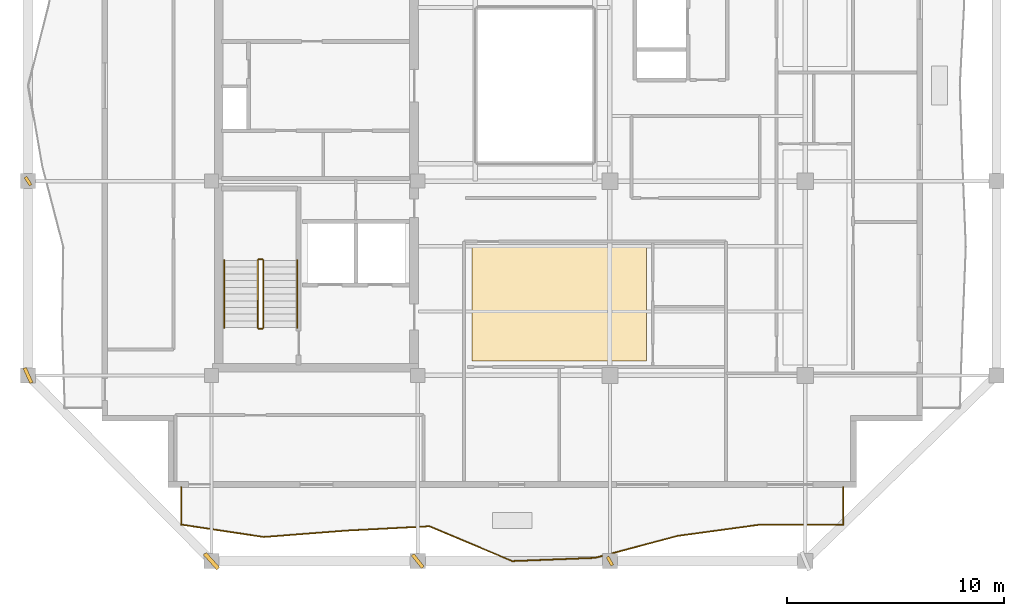
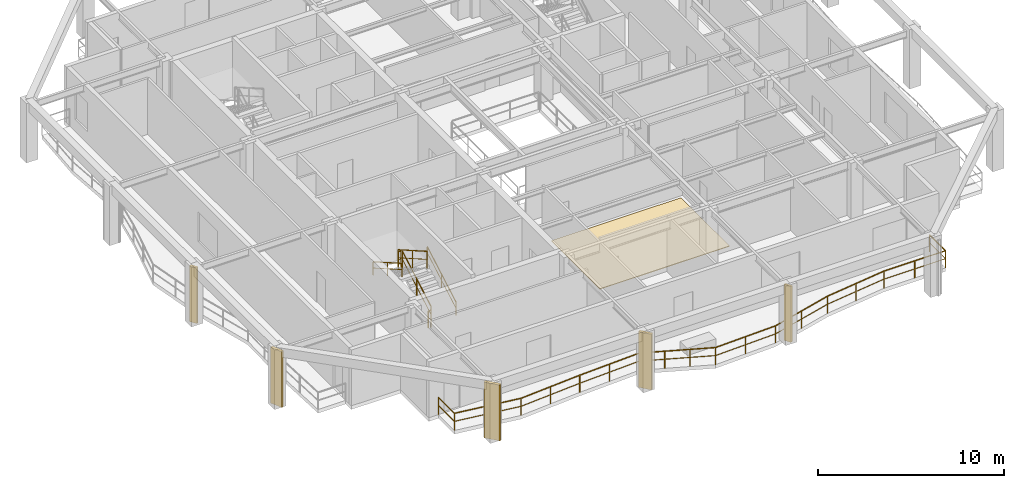
# One storey, part 7 of 10: 7 railings, 5 shading devices, 1 covering.
"""IFC4 building model written with IfcOpenShell, lengths in metres."""

from ifc_helpers import new_model, si_unit, direction, frame, origin, origin_2d, place, context, subcontext, project, spatial, polyline, rectangle, outline, extrude, material, layer, layer_set, type_object, element, save


model = new_model("IFC4")

# Units and contexts
model_context = context("Model", 3, precision=1e-05, world=origin(), true_north=direction((0.0, 1.0)))
body_context = subcontext(model_context, "Body", "Model", "MODEL_VIEW")
ifc_project = project(units=[si_unit("LENGTHUNIT", "METRE"), si_unit("AREAUNIT", "SQUARE_METRE"), si_unit("VOLUMEUNIT", "CUBIC_METRE"), si_unit("PLANEANGLEUNIT", "RADIAN"), si_unit("MASSUNIT", "GRAM", prefix="KILO")], contexts=[model_context])

# Site, building, storey
site_placement = place(None, origin())
site = spatial("IfcSite", under=ifc_project, at=site_placement, CompositionType="ELEMENT")
building_placement = place(site_placement, origin())
building = spatial("IfcBuilding", under=site, at=building_placement, Name="Kundavana Baori Tower", CompositionType="ELEMENT")
storey_placement = place(building_placement, frame((0.0, 0.0, 296.0)))
storey = spatial("IfcBuildingStorey", under=building, at=storey_placement, Name="L73", CompositionType="ELEMENT", Elevation=296.0)

# Covering
ifc_material_1 = material(Name="Honed Kota Stone and Terrazzo Flooring", Category="masonry")
ifc_layer = layer(ifc_material_1, 0.0400390625, Name="COV-FLR-TERR-40")
ifc_layer_set = layer_set([ifc_layer], Name="Honed Kota Stone and Terrazzo Flooring")
covering_type = type_object("IfcCoveringType", Name="COV-FLR-TERR-40", PredefinedType="FLOORING", material=ifc_layer_set)
covering_placement = place(storey_placement, origin())
element("IfcCovering", 1, at=covering_placement, inside=storey, type_object=covering_type, Name="L73 Room Finished Stone Flooring 1", PredefinedType="FLOORING", context=body_context, shape_type="SweptSolid", body=[
    extrude(outline(polyline([(27.43994140625, 15.919921875), (35.489990234375, 15.919921875), (35.489990234375, 21.139892578125), (27.43994140625, 21.139892578125), (27.43994140625, 15.919921875)])), origin(), (0.0, 0.0, 1.0), 0.0400390625),
])

# Railings
ifc_material_2 = material(Name="Architectural Patinated Bronze Metalwork")
railing_type_1 = type_object("IfcRailingType", Name="RL-BAL-1150", PredefinedType="BALUSTRADE", material=ifc_material_2)
railing_1_placement = place(storey_placement, frame((44.550048828125, 10.10009765625, 0.0)))
element("IfcRailing", 2, at=railing_1_placement, inside=storey, type_object=railing_type_1, Name="L73 Loggia Balcony Balustrade S", PredefinedType="BALUSTRADE", context=body_context, shape_type="SweptSolid", body=[
    extrude(rectangle(XDim=0.048095703125, YDim=0.048095703125, at=origin_2d()), frame((0.0, 0.0, 1.1259765625), z_axis=(0.0, -1.0, 0.0), x_axis=(1.0, 0.0, 0.0)), (0.0, 0.0, 1.0), 1.72021484375),
    extrude(rectangle(XDim=0.03125, YDim=0.03125, at=origin_2d()), frame((0.0, 0.0, 0.597900390625), z_axis=(0.0, -1.0, 0.0), x_axis=(1.0, 0.0, 0.0)), (0.0, 0.0, 1.0), 1.72021484375),
    extrude(rectangle(XDim=0.048095703125, YDim=0.048095703125, at=origin_2d()), frame((0.0, -1.72021484375, 1.1259765625), z_axis=(-1.0, 0.0, 0.0), x_axis=(0.0, -1.0, 0.0)), (0.0, 0.0, 1.0), 3.81298828125),
    extrude(rectangle(XDim=0.03125, YDim=0.03125, at=origin_2d()), frame((0.0, -1.72021484375, 0.597900390625), z_axis=(-1.0, 0.0, 0.0), x_axis=(0.0, -1.0, 0.0)), (0.0, 0.0, 1.0), 3.81298828125),
    extrude(rectangle(XDim=0.048095703125, YDim=0.048095703125, at=origin_2d()), frame((-3.81298828125, -1.72021484375, 1.1259765625), z_axis=(-0.990831712594, -0.135101877553, 0.0), x_axis=(0.135101877553, -0.990831712594, 0.0)), (0.0, 0.0, 1.0), 3.84716796875),
    extrude(rectangle(XDim=0.03125, YDim=0.03125, at=origin_2d()), frame((-3.81298828125, -1.72021484375, 0.597900390625), z_axis=(-0.990831712594, -0.135101877553, 0.0), x_axis=(0.135101877553, -0.990831712594, 0.0)), (0.0, 0.0, 1.0), 3.84716796875),
    extrude(rectangle(XDim=0.048095703125, YDim=0.048095703125, at=origin_2d()), frame((-7.625, -2.239990234375, 1.1259765625), z_axis=(-0.966600679497, -0.256287195146, 0.0), x_axis=(0.256287195146, -0.966600679497, 0.0)), (0.0, 0.0, 1.0), 3.94482421875),
    extrude(rectangle(XDim=0.03125, YDim=0.03125, at=origin_2d()), frame((-7.625, -2.239990234375, 0.597900390625), z_axis=(-0.966600679497, -0.256287195146, 0.0), x_axis=(0.256287195146, -0.966600679497, 0.0)), (0.0, 0.0, 1.0), 3.94482421875),
    extrude(rectangle(XDim=0.048095703125, YDim=0.048095703125, at=origin_2d()), frame((-11.43798828125, -3.2509765625, 1.1259765625), z_axis=(-0.999235239136, -0.039101622333, 0.0), x_axis=(0.039101622333, -0.999235239136, 0.0)), (0.0, 0.0, 1.0), 3.81494140625),
    extrude(rectangle(XDim=0.03125, YDim=0.03125, at=origin_2d()), frame((-11.43798828125, -3.2509765625, 0.597900390625), z_axis=(-0.999235239136, -0.039101622333, 0.0), x_axis=(0.039101622333, -0.999235239136, 0.0)), (0.0, 0.0, 1.0), 3.81494140625),
    extrude(rectangle(XDim=0.048095703125, YDim=0.048095703125, at=origin_2d()), frame((-15.25, -3.400146484375, 1.1259765625), z_axis=(-0.922014982255, 0.387154197313, 0.0), x_axis=(-0.387154197313, -0.922014982255, 0.0)), (0.0, 0.0, 1.0), 4.135498046875),
    extrude(rectangle(XDim=0.03125, YDim=0.03125, at=origin_2d()), frame((-15.25, -3.400146484375, 0.597900390625), z_axis=(-0.922014982255, 0.387154197313, 0.0), x_axis=(-0.387154197313, -0.922014982255, 0.0)), (0.0, 0.0, 1.0), 4.135498046875),
    extrude(rectangle(XDim=0.048095703125, YDim=0.048095703125, at=origin_2d()), frame((-19.06298828125, -1.799072265625, 1.1259765625), z_axis=(-0.998667032082, -0.051615492179, 0.0), x_axis=(0.051615492179, -0.998667032082, 0.0)), (0.0, 0.0, 1.0), 3.817138671875),
    extrude(rectangle(XDim=0.03125, YDim=0.03125, at=origin_2d()), frame((-19.06298828125, -1.799072265625, 0.597900390625), z_axis=(-0.998667032082, -0.051615492179, 0.0), x_axis=(0.051615492179, -0.998667032082, 0.0)), (0.0, 0.0, 1.0), 3.817138671875),
    extrude(rectangle(XDim=0.048095703125, YDim=0.048095703125, at=origin_2d()), frame((-22.875, -1.99609375, 1.1259765625), z_axis=(-0.997000908367, -0.077389848914, 0.0), x_axis=(0.077389848914, -0.997000908367, 0.0)), (0.0, 0.0, 1.0), 3.823486328125),
    extrude(rectangle(XDim=0.03125, YDim=0.03125, at=origin_2d()), frame((-22.875, -1.99609375, 0.597900390625), z_axis=(-0.997000908367, -0.077389848914, 0.0), x_axis=(0.077389848914, -0.997000908367, 0.0)), (0.0, 0.0, 1.0), 3.823486328125),
    extrude(rectangle(XDim=0.048095703125, YDim=0.048095703125, at=origin_2d()), frame((-26.68701171875, -2.2919921875, 1.1259765625), z_axis=(-0.988942854289, 0.148297103646, 0.0), x_axis=(-0.148297103646, -0.988942854289, 0.0)), (0.0, 0.0, 1.0), 3.855712890625),
    extrude(rectangle(XDim=0.03125, YDim=0.03125, at=origin_2d()), frame((-26.68701171875, -2.2919921875, 0.597900390625), z_axis=(-0.988942854289, 0.148297103646, 0.0), x_axis=(-0.148297103646, -0.988942854289, 0.0)), (0.0, 0.0, 1.0), 3.855712890625),
    extrude(rectangle(XDim=0.048095703125, YDim=0.048095703125, at=origin_2d()), frame((-30.5, -1.72021484375, 1.1259765625), z_axis=(0.0, 1.0, 0.0), x_axis=(-1.0, 0.0, 0.0)), (0.0, 0.0, 1.0), 1.72021484375),
    extrude(rectangle(XDim=0.03125, YDim=0.03125, at=origin_2d()), frame((-30.5, -1.72021484375, 0.597900390625), z_axis=(0.0, 1.0, 0.0), x_axis=(-1.0, 0.0, 0.0)), (0.0, 0.0, 1.0), 1.72021484375),
    extrude(rectangle(XDim=0.0419921875, YDim=0.0419921875, at=origin_2d()), origin(), (0.0, 0.0, 1.0), 1.101806640625),
    extrude(rectangle(XDim=0.0419921875, YDim=0.0419921875, at=origin_2d()), frame((0.0, -1.72021484375, 0.0)), (0.0, 0.0, 1.0), 1.101806640625),
    extrude(rectangle(XDim=0.0419921875, YDim=0.0419921875, at=origin_2d()), frame((-1.906494140625, -1.72021484375, 0.0)), (0.0, 0.0, 1.0), 1.101806640625),
    extrude(rectangle(XDim=0.0419921875, YDim=0.0419921875, at=origin_2d()), frame((-3.81298828125, -1.72021484375, 0.0)), (0.0, 0.0, 1.0), 1.101806640625),
    extrude(rectangle(XDim=0.0419921875, YDim=0.0419921875, at=origin_2d()), frame((-5.718994140625, -1.97998046875, 0.0)), (0.0, 0.0, 1.0), 1.101806640625),
    extrude(rectangle(XDim=0.0419921875, YDim=0.0419921875, at=origin_2d()), frame((-7.625, -2.239990234375, 0.0)), (0.0, 0.0, 1.0), 1.101806640625),
    extrude(rectangle(XDim=0.0419921875, YDim=0.0419921875, at=origin_2d()), frame((-9.531494140625, -2.74560546875, 0.0)), (0.0, 0.0, 1.0), 1.101806640625),
    extrude(rectangle(XDim=0.0419921875, YDim=0.0419921875, at=origin_2d()), frame((-11.43798828125, -3.2509765625, 0.0)), (0.0, 0.0, 1.0), 1.101806640625),
    extrude(rectangle(XDim=0.0419921875, YDim=0.0419921875, at=origin_2d()), frame((-13.343994140625, -3.32568359375, 0.0)), (0.0, 0.0, 1.0), 1.101806640625),
    extrude(rectangle(XDim=0.0419921875, YDim=0.0419921875, at=origin_2d()), frame((-15.25, -3.400146484375, 0.0)), (0.0, 0.0, 1.0), 1.101806640625),
    extrude(rectangle(XDim=0.0419921875, YDim=0.0419921875, at=origin_2d()), frame((-16.52099609375, -2.866455078125, 0.0)), (0.0, 0.0, 1.0), 1.101806640625),
    extrude(rectangle(XDim=0.0419921875, YDim=0.0419921875, at=origin_2d()), frame((-17.7919921875, -2.332763671875, 0.0)), (0.0, 0.0, 1.0), 1.101806640625),
    extrude(rectangle(XDim=0.0419921875, YDim=0.0419921875, at=origin_2d()), frame((-19.06298828125, -1.799072265625, 0.0)), (0.0, 0.0, 1.0), 1.101806640625),
    extrude(rectangle(XDim=0.0419921875, YDim=0.0419921875, at=origin_2d()), frame((-20.968994140625, -1.8974609375, 0.0)), (0.0, 0.0, 1.0), 1.101806640625),
    extrude(rectangle(XDim=0.0419921875, YDim=0.0419921875, at=origin_2d()), frame((-22.875, -1.99609375, 0.0)), (0.0, 0.0, 1.0), 1.101806640625),
    extrude(rectangle(XDim=0.0419921875, YDim=0.0419921875, at=origin_2d()), frame((-24.781005859375, -2.14404296875, 0.0)), (0.0, 0.0, 1.0), 1.101806640625),
    extrude(rectangle(XDim=0.0419921875, YDim=0.0419921875, at=origin_2d()), frame((-26.68701171875, -2.2919921875, 0.0)), (0.0, 0.0, 1.0), 1.101806640625),
    extrude(rectangle(XDim=0.0419921875, YDim=0.0419921875, at=origin_2d()), frame((-28.593505859375, -2.006103515625, 0.0)), (0.0, 0.0, 1.0), 1.101806640625),
    extrude(rectangle(XDim=0.0419921875, YDim=0.0419921875, at=origin_2d()), frame((-30.5, -1.72021484375, 0.0)), (0.0, 0.0, 1.0), 1.101806640625),
    extrude(rectangle(XDim=0.0419921875, YDim=0.0419921875, at=origin_2d()), frame((-30.5, 0.0, 0.0)), (0.0, 0.0, 1.0), 1.101806640625),
])
ifc_material_3 = material(Name="Architectural Patinated Bronze Metalwork")
railing_type_2 = type_object("IfcRailingType", Name="RL-GRD-1150", PredefinedType="GUARDRAIL", material=ifc_material_3)
railing_2_placement = place(storey_placement, frame((17.840087890625, 17.449951171875, 0.17724609375)))
element("IfcRailing", 3, at=railing_2_placement, inside=storey, type_object=railing_type_2, Name="L73 ST1 stair guard 1", PredefinedType="GUARDRAIL", context=body_context, shape_type="SweptSolid", body=[
    extrude(rectangle(XDim=0.048095703125, YDim=0.048095703125, at=origin_2d()), frame((0.0, 0.0, 1.1259765625), z_axis=(0.0, 0.868095856688, 0.496396599103), x_axis=(-1.0, 0.0, 0.0)), (0.0, 0.0, 1.0), 3.571044921875),
    extrude(rectangle(XDim=0.03125, YDim=0.03125, at=origin_2d()), frame((0.0, 0.0, 0.597900390625), z_axis=(0.0, 0.868095856688, 0.496396599103), x_axis=(-1.0, 0.0, 0.0)), (0.0, 0.0, 1.0), 3.571044921875),
    extrude(rectangle(XDim=0.0419921875, YDim=0.0419921875, at=origin_2d()), origin(), (0.0, 0.0, 1.0), 1.101806640625),
    extrude(rectangle(XDim=0.0419921875, YDim=0.0419921875, at=origin_2d()), frame((0.0, 1.550048828125, 0.88623046875)), (0.0, 0.0, 1.0), 1.101806640625),
    extrude(rectangle(XDim=0.0419921875, YDim=0.0419921875, at=origin_2d()), frame((0.0, 3.10009765625, 1.772705078125)), (0.0, 0.0, 1.0), 1.101806640625),
])
railing_3_placement = place(storey_placement, frame((17.7900390625, 20.60009765625, 1.949951171875)))
element("IfcRailing", 4, at=railing_3_placement, inside=storey, type_object=railing_type_2, Name="L73 ST1 stair guard 2", PredefinedType="GUARDRAIL", context=body_context, shape_type="SweptSolid", body=[
    extrude(rectangle(XDim=0.048095703125, YDim=0.048095703125, at=origin_2d()), frame((0.0, 0.0, 1.1259765625), z_axis=(-1.0, 0.0, 0.0), x_axis=(0.0, -1.0, 0.0)), (0.0, 0.0, 1.0), 0.16015625),
    extrude(rectangle(XDim=0.03125, YDim=0.03125, at=origin_2d()), frame((0.0, 0.0, 0.597900390625), z_axis=(-1.0, 0.0, 0.0), x_axis=(0.0, -1.0, 0.0)), (0.0, 0.0, 1.0), 0.16015625),
    extrude(rectangle(XDim=0.0419921875, YDim=0.0419921875, at=origin_2d()), origin(), (0.0, 0.0, 1.0), 1.101806640625),
    extrude(rectangle(XDim=0.0419921875, YDim=0.0419921875, at=origin_2d()), frame((-0.16015625, 0.0, 0.0)), (0.0, 0.0, 1.0), 1.101806640625),
])
railing_4_placement = place(storey_placement, frame((17.580078125, 20.550048828125, 2.127197265625)))
element("IfcRailing", 5, at=railing_4_placement, inside=storey, type_object=railing_type_2, Name="L73 ST1 stair guard 3", PredefinedType="GUARDRAIL", context=body_context, shape_type="SweptSolid", body=[
    extrude(rectangle(XDim=0.048095703125, YDim=0.048095703125, at=origin_2d()), frame((0.0, 0.0, 1.1259765625), z_axis=(0.0, -0.868095856688, 0.496396599103), x_axis=(1.0, 0.0, 0.0)), (0.0, 0.0, 1.0), 3.571044921875),
    extrude(rectangle(XDim=0.03125, YDim=0.03125, at=origin_2d()), frame((0.0, 0.0, 0.597900390625), z_axis=(0.0, -0.868095856688, 0.496396599103), x_axis=(1.0, 0.0, 0.0)), (0.0, 0.0, 1.0), 3.571044921875),
    extrude(rectangle(XDim=0.0419921875, YDim=0.0419921875, at=origin_2d()), origin(), (0.0, 0.0, 1.0), 1.101806640625),
    extrude(rectangle(XDim=0.0419921875, YDim=0.0419921875, at=origin_2d()), frame((0.0, -1.550048828125, 0.88623046875)), (0.0, 0.0, 1.0), 1.101806640625),
    extrude(rectangle(XDim=0.0419921875, YDim=0.0419921875, at=origin_2d()), frame((0.0, -3.10009765625, 1.772705078125)), (0.0, 0.0, 1.0), 1.101806640625),
])
railing_5_placement = place(storey_placement, frame((17.7900390625, 17.39990234375, 0.0)))
element("IfcRailing", 6, at=railing_5_placement, inside=storey, type_object=railing_type_2, Name="L73 ST1 stair guard 4", PredefinedType="GUARDRAIL", context=body_context, shape_type="SweptSolid", body=[
    extrude(rectangle(XDim=0.048095703125, YDim=0.048095703125, at=origin_2d()), frame((0.0, 0.0, 1.1259765625), z_axis=(-1.0, 0.0, 0.0), x_axis=(0.0, -1.0, 0.0)), (0.0, 0.0, 1.0), 0.16015625),
    extrude(rectangle(XDim=0.03125, YDim=0.03125, at=origin_2d()), frame((0.0, 0.0, 0.597900390625), z_axis=(-1.0, 0.0, 0.0), x_axis=(0.0, -1.0, 0.0)), (0.0, 0.0, 1.0), 0.16015625),
    extrude(rectangle(XDim=0.0419921875, YDim=0.0419921875, at=origin_2d()), origin(), (0.0, 0.0, 1.0), 1.101806640625),
    extrude(rectangle(XDim=0.0419921875, YDim=0.0419921875, at=origin_2d()), frame((-0.16015625, 0.0, 0.0)), (0.0, 0.0, 1.0), 1.101806640625),
])
ifc_material_4 = material(Name="Architectural Patinated Bronze Metalwork")
railing_type_3 = type_object("IfcRailingType", Name="RL-HND-920", PredefinedType="HANDRAIL", material=ifc_material_4)
railing_6_placement = place(storey_placement, frame((19.389892578125, 17.449951171875, 0.17724609375)))
element("IfcRailing", 7, at=railing_6_placement, inside=storey, type_object=railing_type_3, Name="L73 ST1 stair handrail 1", PredefinedType="HANDRAIL", context=body_context, shape_type="SweptSolid", body=[
    extrude(rectangle(XDim=0.048095703125, YDim=0.048095703125, at=origin_2d()), frame((0.0, 0.0, 0.8759765625), z_axis=(0.0, 0.868095856688, 0.496396599103), x_axis=(-1.0, 0.0, 0.0)), (0.0, 0.0, 1.0), 3.571044921875),
    extrude(rectangle(XDim=0.03125, YDim=0.03125, at=origin_2d()), frame((0.0, 0.0, 0.468017578125), z_axis=(0.0, 0.868095856688, 0.496396599103), x_axis=(-1.0, 0.0, 0.0)), (0.0, 0.0, 1.0), 3.571044921875),
    extrude(rectangle(XDim=0.0419921875, YDim=0.0419921875, at=origin_2d()), origin(), (0.0, 0.0, 1.0), 0.851806640625),
    extrude(rectangle(XDim=0.0419921875, YDim=0.0419921875, at=origin_2d()), frame((0.0, 1.550048828125, 0.88623046875)), (0.0, 0.0, 1.0), 0.851806640625),
    extrude(rectangle(XDim=0.0419921875, YDim=0.0419921875, at=origin_2d()), frame((0.0, 3.10009765625, 1.772705078125)), (0.0, 0.0, 1.0), 0.851806640625),
])
railing_7_placement = place(storey_placement, frame((16.030029296875, 20.550048828125, 2.127197265625)))
element("IfcRailing", 8, at=railing_7_placement, inside=storey, type_object=railing_type_3, Name="L73 ST1 stair handrail 2", PredefinedType="HANDRAIL", context=body_context, shape_type="SweptSolid", body=[
    extrude(rectangle(XDim=0.048095703125, YDim=0.048095703125, at=origin_2d()), frame((0.0, 0.0, 0.8759765625), z_axis=(0.0, -0.868095856688, 0.496396599103), x_axis=(1.0, 0.0, 0.0)), (0.0, 0.0, 1.0), 3.571044921875),
    extrude(rectangle(XDim=0.03125, YDim=0.03125, at=origin_2d()), frame((0.0, 0.0, 0.468017578125), z_axis=(0.0, -0.868095856688, 0.496396599103), x_axis=(1.0, 0.0, 0.0)), (0.0, 0.0, 1.0), 3.571044921875),
    extrude(rectangle(XDim=0.0419921875, YDim=0.0419921875, at=origin_2d()), origin(), (0.0, 0.0, 1.0), 0.851806640625),
    extrude(rectangle(XDim=0.0419921875, YDim=0.0419921875, at=origin_2d()), frame((0.0, -1.550048828125, 0.88623046875)), (0.0, 0.0, 1.0), 0.851806640625),
    extrude(rectangle(XDim=0.0419921875, YDim=0.0419921875, at=origin_2d()), frame((0.0, -3.10009765625, 1.772705078125)), (0.0, 0.0, 1.0), 0.851806640625),
])

# Shading devices
ifc_material_5 = material(Name="Red-Buff Dholpur Sandstone Cladding on Concrete C40/50", Category="masonry")
shading_device_type_1 = type_object("IfcShadingDeviceType", Name="SHD-FIN-750", PredefinedType="JALOUSIE", material=ifc_material_5)
for number, where, z_axis, x_axis, name in (
    (9, (24.949951171875, 6.699951171875, 0.0), (0.0, 0.0, 1.0), (0.781193702712, 0.624288714333, 0.0), "L73 Sweeping Dholpur Sandstone Facade Fin 2"),
    (10, (7.0, 15.25, 0.0), (0.0, 0.0, 1.0), (0.91082780597, 0.412786516097, 0.0), "L73 Sweeping Dholpur Sandstone Facade Fin 5"),
):
    element("IfcShadingDevice", number, at=place(storey_placement, frame(where, z_axis=z_axis, x_axis=x_axis)), inside=storey, type_object=shading_device_type_1, Name=name, PredefinedType="JALOUSIE", context=body_context, shape_type="SweptSolid", body=[
        extrude(rectangle(XDim=0.159912109375, YDim=0.75, at=origin_2d()), origin(), (0.0, 0.0, 1.0), 3.659912109375),
    ])
ifc_material_6 = material(Name="Red-Buff Dholpur Sandstone Cladding on Concrete C40/50", Category="masonry")
shading_device_type_2 = type_object("IfcShadingDeviceType", Name="SHD-FIN-920", PredefinedType="JALOUSIE", material=ifc_material_6)
shading_device_placement = place(storey_placement, frame((15.449951171875, 6.699951171875, 0.0), z_axis=(0.0, 0.0, 1.0), x_axis=(0.744544618419, 0.667572701047, 0.0)))
element("IfcShadingDevice", 11, at=shading_device_placement, inside=storey, type_object=shading_device_type_2, Name="L73 Sweeping Dholpur Sandstone Facade Fin 1", PredefinedType="JALOUSIE", context=body_context, shape_type="SweptSolid", body=[
    extrude(rectangle(XDim=0.179931640625, YDim=0.919921875, at=origin_2d()), origin(), (0.0, 0.0, 1.0), 3.659912109375),
])
ifc_material_7 = material(Name="Architectural Patinated Bronze Metalwork")
shading_device_type_3 = type_object("IfcShadingDeviceType", Name="SHD-LOUV-450", PredefinedType="SHUTTER", material=ifc_material_7)
for number, where, z_axis, x_axis, name in (
    (12, (33.800048828125, 6.699951171875, 0.0), (0.0, 0.0, 1.0), (0.872240046001, 0.489078012338, 0.0), "L73 Sweeping Dholpur Sandstone Facade Fin 3"),
    (13, (7.0, 24.199951171875, 0.0), (0.0, 0.0, 1.0), (0.835423867485, 0.549606187772, 0.0), "L73 Sweeping Dholpur Sandstone Facade Fin 6"),
):
    element("IfcShadingDevice", number, at=place(storey_placement, frame(where, z_axis=z_axis, x_axis=x_axis)), inside=storey, type_object=shading_device_type_3, Name=name, PredefinedType="SHUTTER", context=body_context, shape_type="SweptSolid", body=[
        extrude(rectangle(XDim=0.139892578125, YDim=0.449951171875, at=origin_2d()), origin(), (0.0, 0.0, 1.0), 3.659912109375),
    ])

save(model, "model.ifc")
